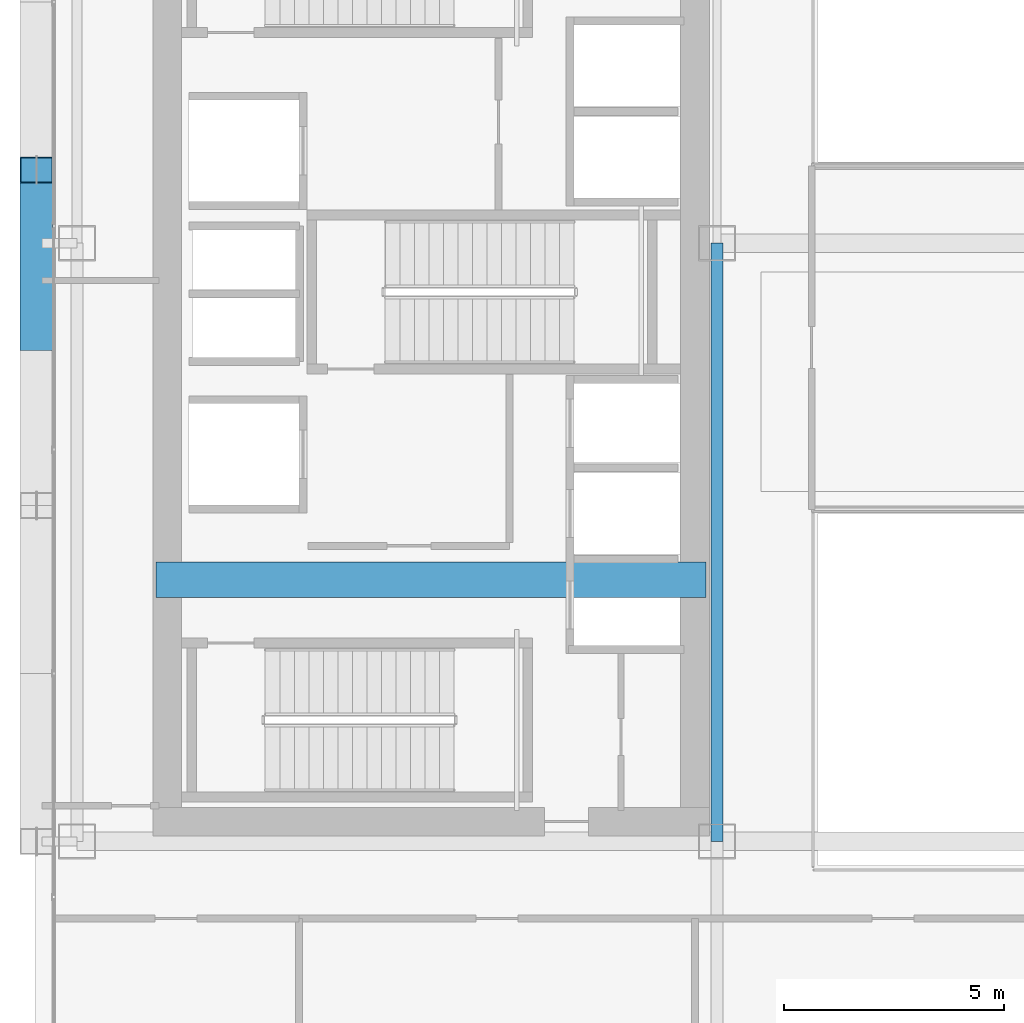
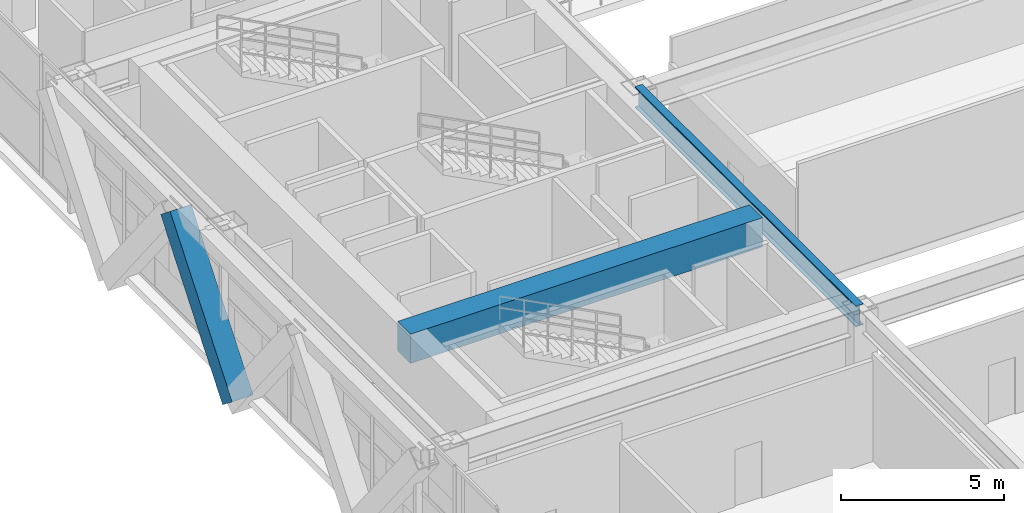
# One storey, part 8 of 38: 2 beams, 1 member.
"""IFC4 building model written with IfcOpenShell, lengths in metres."""

from ifc_helpers import new_model, si_unit, direction, frame, origin, origin_2d, place, context, subcontext, project, spatial, rectangle, hollow_rectangle, i_section, extrude, source, transform, mapped, material, material_profile, profile_set, type_object, element, save


model = new_model("IFC4")

# Units and contexts
model_context = context("Model", 3, precision=1e-05, world=origin(), true_north=direction((0.0, 1.0)))
body_context = subcontext(model_context, "Body", "Model", "MODEL_VIEW")
ifc_project = project(units=[si_unit("LENGTHUNIT", "METRE"), si_unit("AREAUNIT", "SQUARE_METRE"), si_unit("VOLUMEUNIT", "CUBIC_METRE"), si_unit("PLANEANGLEUNIT", "RADIAN"), si_unit("MASSUNIT", "GRAM", prefix="KILO")], contexts=[model_context])

# Site, building, storey
site_placement = place(None, origin())
site = spatial("IfcSite", under=ifc_project, at=site_placement, CompositionType="ELEMENT")
building_placement = place(site_placement, origin())
building = spatial("IfcBuilding", under=site, at=building_placement, Name="Ocotamira Hotel", CompositionType="ELEMENT")
storey_placement = place(building_placement, frame((0.0, 0.0, 92.39990234375)))
storey = spatial("IfcBuildingStorey", under=building, at=storey_placement, Name="L22", CompositionType="ELEMENT", Elevation=92.39990234375)

# Beams
ifc_material_1 = material(Name="Concrete C60/75", Category="concrete")
ifc_material_profile_1 = material_profile(ifc_material_1, rectangle(XDim=0.800048828125, YDim=1.10009765625, at=origin_2d()), Name="RC800X1100")
ifc_profile_set_1 = profile_set([ifc_material_profile_1], Name="Concrete C60/75")
beam_type_1 = type_object("IfcBeamType", Name="BM-LINK-RC800", PredefinedType="LINTEL", material=ifc_profile_set_1)
shared_shape_1 = source(origin(), body_context, "Body", "SweptSolid", [
    extrude(rectangle(XDim=0.800048828125, YDim=1.10009765625, at=origin_2d()), origin(), (0.0, 0.0, 1.0), 12.5),
])
beam_1_placement = place(storey_placement, frame((10.75, 20.5, 4.010009765625), z_axis=(1.0, 0.0, 0.0), x_axis=(0.0, 1.0, 0.0)))
element("IfcBeam", 1, at=beam_1_placement, inside=storey, type_object=beam_type_1, Name="L22 West Core Coupling Beam", PredefinedType="LINTEL", context=body_context, shape_type="MappedRepresentation", body=[
    mapped(shared_shape_1, transform((0.0, 0.0, 0.0), scale=1.0)),
])
ifc_material_2 = material(Name="Steel ASTM A992 Grade 50", Category="steel")
ifc_material_profile_2 = material_profile(ifc_material_2, i_section(OverallWidth=0.26611328125, OverallDepth=0.779052734375, WebThickness=0.0166015625, FlangeThickness=0.030029296875, FilletRadius=0.01806640625, at=origin_2d()), Name="W30X148")
ifc_profile_set_2 = profile_set([ifc_material_profile_2], Name="Steel ASTM A992 Grade 50")
beam_type_2 = type_object("IfcBeamType", Name="BM-GIRD-W30X148", PredefinedType="BEAM", material=ifc_profile_set_2)
shared_shape_2 = source(origin(), body_context, "Body", "SweptSolid", [
    extrude(i_section(OverallWidth=0.26611328125, OverallDepth=0.779052734375, WebThickness=0.0166015625, FlangeThickness=0.030029296875, FilletRadius=0.01806640625, at=origin_2d()), origin(), (0.0, 0.0, 1.0), 13.599853515625),
])
beam_2_placement = place(storey_placement, frame((23.5, 14.550048828125, 4.170654296875), z_axis=(0.0, 1.0, 0.0), x_axis=(-1.0, 0.0, 0.0)))
element("IfcBeam", 2, at=beam_2_placement, inside=storey, type_object=beam_type_2, Name="L22 Beam X23.5 Y14.55-28.15", PredefinedType="BEAM", context=body_context, shape_type="MappedRepresentation", body=[
    mapped(shared_shape_2, transform((0.0, 0.0, 0.0), scale=1.0)),
])

# Member
ifc_material_3 = material(Name="Pale-metal coated steel ASTM A913 Grade 65", Category="steel")
ifc_material_profile_3 = material_profile(ifc_material_3, hollow_rectangle(XDim=0.75, YDim=0.75, WallThickness=0.028076171875, at=origin_2d()), Name="BOX750X750X28")
ifc_profile_set_3 = profile_set([ifc_material_profile_3], Name="Pale-metal coated steel ASTM A913 Grade 65")
member_type = type_object("IfcMemberType", Name="MEM-EXO-BOX750", PredefinedType="BRACE", material=ifc_profile_set_3)
shared_shape_3 = source(origin(), body_context, "Body", "SweptSolid", [
    extrude(hollow_rectangle(XDim=0.75, YDim=0.75, WallThickness=0.028076171875, at=origin_2d()), origin(), (0.0, 0.0, 1.0), 6.16357421875),
])
member_placement = place(storey_placement, frame((8.030029296875, 26.0, -0.52978515625), z_axis=(0.0, 0.619216534821, 0.785220276741), x_axis=(-1.0, 0.0, 0.0)))
element("IfcMember", 3, at=member_placement, inside=storey, type_object=member_type, Name="L22 Exoskeleton Diagrid W1.2", PredefinedType="BRACE", context=body_context, shape_type="MappedRepresentation", body=[
    mapped(shared_shape_3, transform((0.0, 0.0, 0.0), scale=1.0)),
])

save(model, "model.ifc")
